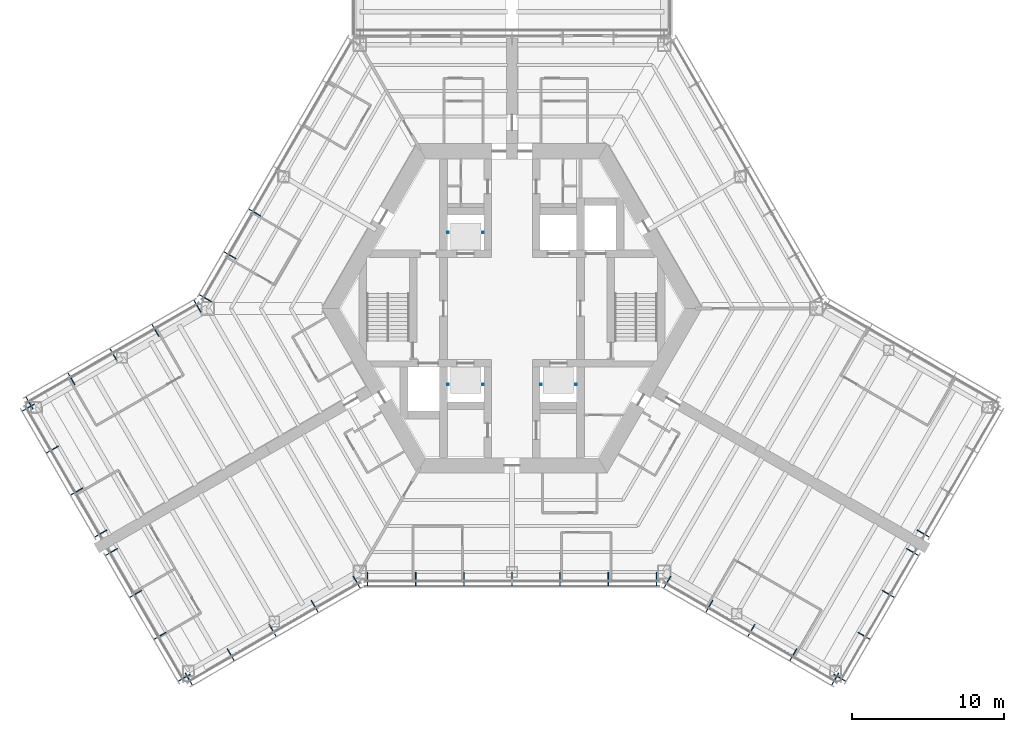
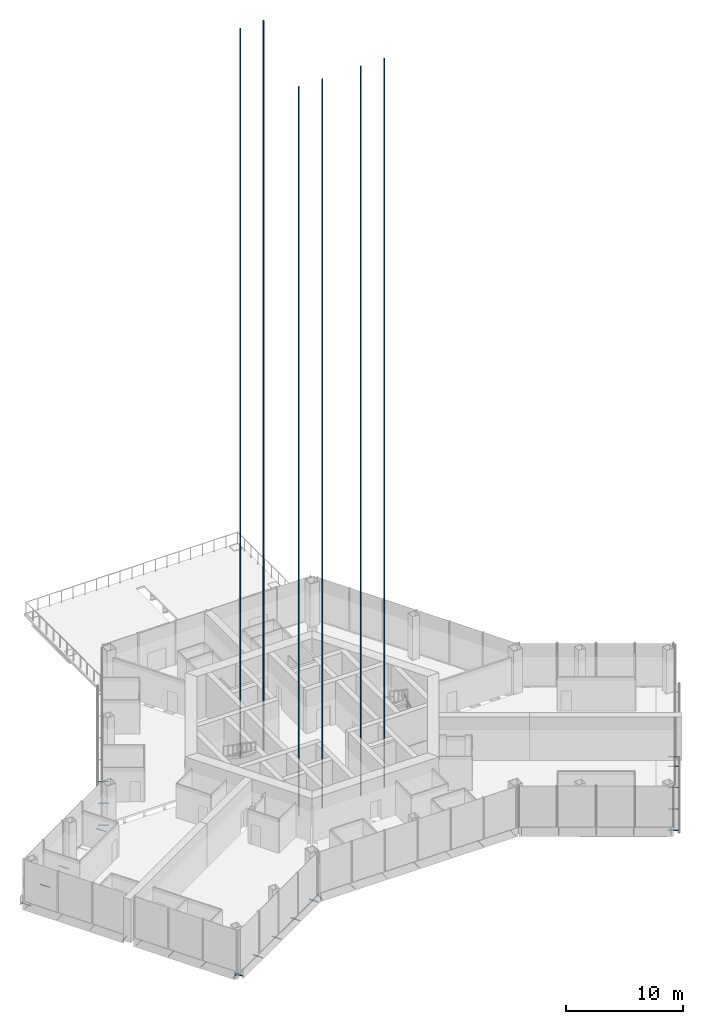
# One storey, part 14 of 18: 41 discrete accessories.
"""IFC4 building model written with IfcOpenShell, lengths in metres."""

from ifc_helpers import new_model, si_unit, direction, frame, origin, origin_2d, place, context, subcontext, project, spatial, rectangle, hollow_circle, extrude, material, material_profile, profile_set, type_object, element, save


model = new_model("IFC4")

# Units and contexts
model_context = context("Model", 3, precision=1e-05, world=origin(), true_north=direction((0.0, 1.0)))
body_context = subcontext(model_context, "Body", "Model", "MODEL_VIEW")
ifc_project = project(units=[si_unit("LENGTHUNIT", "METRE"), si_unit("AREAUNIT", "SQUARE_METRE"), si_unit("VOLUMEUNIT", "CUBIC_METRE"), si_unit("PLANEANGLEUNIT", "RADIAN"), si_unit("MASSUNIT", "GRAM", prefix="KILO")], contexts=[model_context])

# Site, building, storey
site_placement = place(None, origin())
site = spatial("IfcSite", under=ifc_project, at=site_placement, CompositionType="ELEMENT")
building_placement = place(site_placement, origin())
building = spatial("IfcBuilding", under=site, at=building_placement, Name="Kasaneha Research Tower", CompositionType="ELEMENT")
storey_placement = place(building_placement, frame((0.0, 0.0, 128.60009765625)))
storey = spatial("IfcBuildingStorey", under=building, at=storey_placement, Name="L32", CompositionType="ELEMENT", Elevation=128.60009765625)

# Discrete accessories
ifc_material_1 = material(Name="Steel SN400B", Category="steel")
discrete_accessory_type_1 = type_object("IfcDiscreteAccessoryType", Name="Lift guide rail 100x100", PredefinedType="USERDEFINED", material=ifc_material_1)
discrete_accessory_1_placement = place(storey_placement, frame((0.0, 0.0, -128.60009765625)))
element("IfcDiscreteAccessory", 1, at=discrete_accessory_1_placement, inside=storey, type_object=discrete_accessory_type_1, Name="Lift LM2 guide rails", ObjectType="GUIDE RAIL", PredefinedType="USERDEFINED", context=body_context, shape_type="SweptSolid", body=[
    extrude(rectangle(XDim=0.10009765625, YDim=0.10009765625, at=origin_2d()), frame((1.89990234375, -5.0, 127.050048828125)), (0.0, 0.0, 1.0), 75.89990234375),
    extrude(rectangle(XDim=0.10009765625, YDim=0.10009765625, at=origin_2d()), frame((4.199951171875, -5.0, 127.050048828125)), (0.0, 0.0, 1.0), 75.89990234375),
])
discrete_accessory_2_placement = place(storey_placement, frame((0.0, 0.0, -128.60009765625)))
element("IfcDiscreteAccessory", 2, at=discrete_accessory_2_placement, inside=storey, type_object=discrete_accessory_type_1, Name="Lift LM1 guide rails", ObjectType="GUIDE RAIL", PredefinedType="USERDEFINED", context=body_context, shape_type="SweptSolid", body=[
    extrude(rectangle(XDim=0.10009765625, YDim=0.10009765625, at=origin_2d()), frame((-4.199951171875, 5.0, 127.050048828125)), (0.0, 0.0, 1.0), 75.89990234375),
    extrude(rectangle(XDim=0.10009765625, YDim=0.10009765625, at=origin_2d()), frame((-1.89990234375, 5.0, 127.050048828125)), (0.0, 0.0, 1.0), 75.89990234375),
])
discrete_accessory_3_placement = place(storey_placement, frame((0.0, 0.0, -128.60009765625)))
element("IfcDiscreteAccessory", 3, at=discrete_accessory_3_placement, inside=storey, type_object=discrete_accessory_type_1, Name="Lift LM3 guide rails", ObjectType="GUIDE RAIL", PredefinedType="USERDEFINED", context=body_context, shape_type="SweptSolid", body=[
    extrude(rectangle(XDim=0.10009765625, YDim=0.10009765625, at=origin_2d()), frame((-4.199951171875, -5.0, 127.050048828125)), (0.0, 0.0, 1.0), 75.89990234375),
    extrude(rectangle(XDim=0.10009765625, YDim=0.10009765625, at=origin_2d()), frame((-1.89990234375, -5.0, 127.050048828125)), (0.0, 0.0, 1.0), 75.89990234375),
])
ifc_material_2 = material(Name="Steel STK400", Category="steel")
ifc_material_profile = material_profile(ifc_material_2, hollow_circle(Radius=0.0380859375, WallThickness=0.00390625, at=origin_2d()), Name="CHS-76.3x4.0")
ifc_profile_set = profile_set([ifc_material_profile], Name="Steel STK400")
discrete_accessory_type_2 = type_object("IfcDiscreteAccessoryType", Name="Screen bracket CHS-76.3x4.0", PredefinedType="BRACKET", material=ifc_profile_set)
for number, where, z_axis, x_axis, name in (
    (4, (-9.4892578125, -17.320556640625, -0.35009765625), (0.0, -1.0, 0.0), (1.0, 0.0, 0.0), "Screen bracket 1"),
    (5, (-6.326171875, -17.320556640625, -0.35009765625), (0.0, -1.0, 0.0), (1.0, 0.0, 0.0), "Screen bracket 2"),
    (6, (-3.1630859375, -17.320556640625, -0.35009765625), (0.0, -1.0, 0.0), (1.0, 0.0, 0.0), "Screen bracket 3"),
    (7, (0.0, -17.320556640625, -0.35009765625), (0.0, -1.0, 0.0), (1.0, 0.0, 0.0), "Screen bracket 4"),
    (8, (3.1630859375, -17.320556640625, -0.35009765625), (0.0, -1.0, 0.0), (1.0, 0.0, 0.0), "Screen bracket 5"),
    (9, (6.326171875, -17.320556640625, -0.35009765625), (0.0, -1.0, 0.0), (1.0, 0.0, 0.0), "Screen bracket 6"),
    (10, (9.4892578125, -17.320556640625, -0.35009765625), (0.0, -1.0, 0.0), (1.0, 0.0, 0.0), "Screen bracket 7"),
    (11, (10.4423828125, -17.575927734375, -0.35009765625), (-0.500021113727, -0.866013213425, 0.0), (0.866013213425, -0.500021113727, 0.0), "Screen bracket 1"),
):
    element("IfcDiscreteAccessory", number, at=place(storey_placement, frame(where, z_axis=z_axis, x_axis=x_axis)), inside=storey, type_object=discrete_accessory_type_2, Name=name, PredefinedType="BRACKET", context=body_context, shape_type="SweptSolid", body=[
        extrude(hollow_circle(Radius=0.0380859375, WallThickness=0.00390625, at=origin_2d()), origin(), (0.0, 0.0, 1.0), 0.919921875),
    ])
discrete_accessory_4_placement = place(storey_placement, frame((13.200439453125, -19.168212890625, -0.35009765625), z_axis=(-0.499906209203, -0.866079547155, 0.0), x_axis=(0.866079547155, -0.499906209203, 0.0)))
element("IfcDiscreteAccessory", 12, at=discrete_accessory_4_placement, inside=storey, type_object=discrete_accessory_type_2, Name="Screen bracket 2", PredefinedType="BRACKET", context=body_context, shape_type="SweptSolid", body=[
    extrude(hollow_circle(Radius=0.0380859375, WallThickness=0.00390625, at=origin_2d()), origin(), (0.0, 0.0, 1.0), 0.920166015625),
])
discrete_accessory_5_placement = place(storey_placement, frame((15.95849609375, -20.7607421875, -0.35009765625), z_axis=(-0.500021113727, -0.866013213425, 0.0), x_axis=(0.866013213425, -0.500021113727, 0.0)))
element("IfcDiscreteAccessory", 13, at=discrete_accessory_5_placement, inside=storey, type_object=discrete_accessory_type_2, Name="Screen bracket 3", PredefinedType="BRACKET", context=body_context, shape_type="SweptSolid", body=[
    extrude(hollow_circle(Radius=0.0380859375, WallThickness=0.00390625, at=origin_2d()), origin(), (0.0, 0.0, 1.0), 0.919921875),
])
discrete_accessory_6_placement = place(storey_placement, frame((18.716796875, -22.35302734375, -0.35009765625), z_axis=(-0.500105201737, -0.865964657013, 0.0), x_axis=(0.865964657013, -0.500105201737, 0.0)))
element("IfcDiscreteAccessory", 14, at=discrete_accessory_6_placement, inside=storey, type_object=discrete_accessory_type_2, Name="Screen bracket 4", PredefinedType="BRACKET", context=body_context, shape_type="SweptSolid", body=[
    extrude(hollow_circle(Radius=0.0380859375, WallThickness=0.00390625, at=origin_2d()), origin(), (0.0, 0.0, 1.0), 0.920166015625),
])
discrete_accessory_7_placement = place(storey_placement, frame((21.474853515625, -23.945556640625, -0.35009765625), z_axis=(-0.500021113727, -0.866013213425, 0.0), x_axis=(0.866013213425, -0.500021113727, 0.0)))
element("IfcDiscreteAccessory", 15, at=discrete_accessory_7_placement, inside=storey, type_object=discrete_accessory_type_2, Name="Screen bracket 5", PredefinedType="BRACKET", context=body_context, shape_type="SweptSolid", body=[
    extrude(hollow_circle(Radius=0.0380859375, WallThickness=0.00390625, at=origin_2d()), origin(), (0.0, 0.0, 1.0), 0.919921875),
])
discrete_accessory_8_placement = place(storey_placement, frame((21.13330078125, -24.037109375, -0.35009765625), z_axis=(0.866079547155, -0.499906209203, 0.0), x_axis=(0.499906209203, 0.866079547155, 0.0)))
element("IfcDiscreteAccessory", 16, at=discrete_accessory_8_placement, inside=storey, type_object=discrete_accessory_type_2, Name="Screen bracket 1", PredefinedType="BRACKET", context=body_context, shape_type="SweptSolid", body=[
    extrude(hollow_circle(Radius=0.0380859375, WallThickness=0.00390625, at=origin_2d()), origin(), (0.0, 0.0, 1.0), 0.920166015625),
])
discrete_accessory_9_placement = place(storey_placement, frame((22.72509765625, -21.2802734375, -0.35009765625), z_axis=(0.866013213425, -0.500021113727, 0.0), x_axis=(0.500021113727, 0.866013213425, 0.0)))
element("IfcDiscreteAccessory", 17, at=discrete_accessory_9_placement, inside=storey, type_object=discrete_accessory_type_2, Name="Screen bracket 2", PredefinedType="BRACKET", context=body_context, shape_type="SweptSolid", body=[
    extrude(hollow_circle(Radius=0.0380859375, WallThickness=0.00390625, at=origin_2d()), origin(), (0.0, 0.0, 1.0), 0.919921875),
])
discrete_accessory_10_placement = place(storey_placement, frame((24.316650390625, -18.5234375, -0.35009765625), z_axis=(0.866079547155, -0.499906209203, 0.0), x_axis=(0.499906209203, 0.866079547155, 0.0)))
element("IfcDiscreteAccessory", 18, at=discrete_accessory_10_placement, inside=storey, type_object=discrete_accessory_type_2, Name="Screen bracket 3", PredefinedType="BRACKET", context=body_context, shape_type="SweptSolid", body=[
    extrude(hollow_circle(Radius=0.0380859375, WallThickness=0.00390625, at=origin_2d()), origin(), (0.0, 0.0, 1.0), 0.920166015625),
])
for number, where, z_axis, x_axis, name in (
    (19, (25.908447265625, -15.766357421875, -0.35009765625), (0.865898279276, -0.500220121494, 0.0), (0.500220121494, 0.865898279276, 0.0), "Screen bracket 4"),
    (20, (26.6083984375, -14.553955078125, -0.35009765625), (0.866013213425, -0.500021113727, 0.0), (0.500021113727, 0.866013213425, 0.0), "Screen bracket 1"),
    (21, (-16.4970703125, 6.0673828125, -0.35009765625), (-0.866013213425, 0.500021113727, 0.0), (-0.500021113727, -0.866013213425, 0.0), "Screen bracket 5"),
    (22, (-18.120849609375, 3.2548828125, -0.35009765625), (-0.866013213425, 0.500021113727, 0.0), (-0.500021113727, -0.866013213425, 0.0), "Screen bracket 6"),
    (23, (-19.74462890625, 0.4423828125, -0.35009765625), (-0.866013213425, 0.500021113727, 0.0), (-0.500021113727, -0.866013213425, 0.0), "Screen bracket 7"),
    (24, (-20.4423828125, -0.25537109375, -0.35009765625), (-0.500021113727, 0.866013213425, 0.0), (-0.866013213425, -0.500021113727, 0.0), "Screen bracket 1"),
):
    element("IfcDiscreteAccessory", number, at=place(storey_placement, frame(where, z_axis=z_axis, x_axis=x_axis)), inside=storey, type_object=discrete_accessory_type_2, Name=name, PredefinedType="BRACKET", context=body_context, shape_type="SweptSolid", body=[
        extrude(hollow_circle(Radius=0.0380859375, WallThickness=0.00390625, at=origin_2d()), origin(), (0.0, 0.0, 1.0), 0.919921875),
    ])
discrete_accessory_11_placement = place(storey_placement, frame((-23.200439453125, -1.847900390625, -0.35009765625), z_axis=(-0.499906209203, 0.866079547155, 0.0), x_axis=(-0.866079547155, -0.499906209203, 0.0)))
element("IfcDiscreteAccessory", 25, at=discrete_accessory_11_placement, inside=storey, type_object=discrete_accessory_type_2, Name="Screen bracket 2", PredefinedType="BRACKET", context=body_context, shape_type="SweptSolid", body=[
    extrude(hollow_circle(Radius=0.0380859375, WallThickness=0.00390625, at=origin_2d()), origin(), (0.0, 0.0, 1.0), 0.920166015625),
])
discrete_accessory_12_placement = place(storey_placement, frame((-25.95849609375, -3.440185546875, -0.35009765625), z_axis=(-0.500220121494, 0.865898279276, 0.0), x_axis=(-0.865898279276, -0.500220121494, 0.0)))
element("IfcDiscreteAccessory", 26, at=discrete_accessory_12_placement, inside=storey, type_object=discrete_accessory_type_2, Name="Screen bracket 3", PredefinedType="BRACKET", context=body_context, shape_type="SweptSolid", body=[
    extrude(hollow_circle(Radius=0.0380859375, WallThickness=0.00390625, at=origin_2d()), origin(), (0.0, 0.0, 1.0), 0.919921875),
])
discrete_accessory_13_placement = place(storey_placement, frame((-28.716796875, -5.03271484375, -0.35009765625), z_axis=(-0.499906209203, 0.866079547155, 0.0), x_axis=(-0.866079547155, -0.499906209203, 0.0)))
element("IfcDiscreteAccessory", 27, at=discrete_accessory_13_placement, inside=storey, type_object=discrete_accessory_type_2, Name="Screen bracket 4", PredefinedType="BRACKET", context=body_context, shape_type="SweptSolid", body=[
    extrude(hollow_circle(Radius=0.0380859375, WallThickness=0.00390625, at=origin_2d()), origin(), (0.0, 0.0, 1.0), 0.920166015625),
])
discrete_accessory_14_placement = place(storey_placement, frame((-31.474853515625, -6.625, -0.35009765625), z_axis=(-0.500021113727, 0.866013213425, 0.0), x_axis=(-0.866013213425, -0.500021113727, 0.0)))
element("IfcDiscreteAccessory", 28, at=discrete_accessory_14_placement, inside=storey, type_object=discrete_accessory_type_2, Name="Screen bracket 5", PredefinedType="BRACKET", context=body_context, shape_type="SweptSolid", body=[
    extrude(hollow_circle(Radius=0.0380859375, WallThickness=0.00390625, at=origin_2d()), origin(), (0.0, 0.0, 1.0), 0.919921875),
])
discrete_accessory_15_placement = place(storey_placement, frame((-31.38330078125, -6.283447265625, -0.35009765625), z_axis=(-0.866079547155, -0.499906209203, 0.0), x_axis=(0.499906209203, -0.866079547155, 0.0)))
element("IfcDiscreteAccessory", 29, at=discrete_accessory_15_placement, inside=storey, type_object=discrete_accessory_type_2, Name="Screen bracket 1", PredefinedType="BRACKET", context=body_context, shape_type="SweptSolid", body=[
    extrude(hollow_circle(Radius=0.0380859375, WallThickness=0.00390625, at=origin_2d()), origin(), (0.0, 0.0, 1.0), 0.920166015625),
])
discrete_accessory_16_placement = place(storey_placement, frame((-29.791748046875, -9.040283203125, -0.35009765625), z_axis=(-0.866013213425, -0.500021113727, 0.0), x_axis=(0.500021113727, -0.866013213425, 0.0)))
element("IfcDiscreteAccessory", 30, at=discrete_accessory_16_placement, inside=storey, type_object=discrete_accessory_type_2, Name="Screen bracket 2", PredefinedType="BRACKET", context=body_context, shape_type="SweptSolid", body=[
    extrude(hollow_circle(Radius=0.0380859375, WallThickness=0.00390625, at=origin_2d()), origin(), (0.0, 0.0, 1.0), 0.919921875),
])
discrete_accessory_17_placement = place(storey_placement, frame((-28.199951171875, -11.797119140625, -0.35009765625), z_axis=(-0.866079547155, -0.499906209203, 0.0), x_axis=(0.499906209203, -0.866079547155, 0.0)))
element("IfcDiscreteAccessory", 31, at=discrete_accessory_17_placement, inside=storey, type_object=discrete_accessory_type_2, Name="Screen bracket 3", PredefinedType="BRACKET", context=body_context, shape_type="SweptSolid", body=[
    extrude(hollow_circle(Radius=0.0380859375, WallThickness=0.00390625, at=origin_2d()), origin(), (0.0, 0.0, 1.0), 0.920166015625),
])
for number, where, z_axis, x_axis, name in (
    (32, (-26.6083984375, -14.553955078125, -0.35009765625), (-0.866013213425, -0.500021113727, 0.0), (0.500021113727, -0.866013213425, 0.0), "Screen bracket 4"),
    (33, (-25.908447265625, -15.766357421875, -0.35009765625), (-0.865898279276, -0.500220121494, 0.0), (0.500220121494, -0.865898279276, 0.0), "Screen bracket 1"),
):
    element("IfcDiscreteAccessory", number, at=place(storey_placement, frame(where, z_axis=z_axis, x_axis=x_axis)), inside=storey, type_object=discrete_accessory_type_2, Name=name, PredefinedType="BRACKET", context=body_context, shape_type="SweptSolid", body=[
        extrude(hollow_circle(Radius=0.0380859375, WallThickness=0.00390625, at=origin_2d()), origin(), (0.0, 0.0, 1.0), 0.919921875),
    ])
discrete_accessory_18_placement = place(storey_placement, frame((-24.316650390625, -18.5234375, -0.35009765625), z_axis=(-0.866079547155, -0.499906209203, 0.0), x_axis=(0.499906209203, -0.866079547155, 0.0)))
element("IfcDiscreteAccessory", 34, at=discrete_accessory_18_placement, inside=storey, type_object=discrete_accessory_type_2, Name="Screen bracket 2", PredefinedType="BRACKET", context=body_context, shape_type="SweptSolid", body=[
    extrude(hollow_circle(Radius=0.0380859375, WallThickness=0.00390625, at=origin_2d()), origin(), (0.0, 0.0, 1.0), 0.920166015625),
])
discrete_accessory_19_placement = place(storey_placement, frame((-22.72509765625, -21.2802734375, -0.35009765625), z_axis=(-0.866013213425, -0.500021113727, 0.0), x_axis=(0.500021113727, -0.866013213425, 0.0)))
element("IfcDiscreteAccessory", 35, at=discrete_accessory_19_placement, inside=storey, type_object=discrete_accessory_type_2, Name="Screen bracket 3", PredefinedType="BRACKET", context=body_context, shape_type="SweptSolid", body=[
    extrude(hollow_circle(Radius=0.0380859375, WallThickness=0.00390625, at=origin_2d()), origin(), (0.0, 0.0, 1.0), 0.919921875),
])
discrete_accessory_20_placement = place(storey_placement, frame((-21.13330078125, -24.037109375, -0.35009765625), z_axis=(-0.866079547155, -0.499906209203, 0.0), x_axis=(0.499906209203, -0.866079547155, 0.0)))
element("IfcDiscreteAccessory", 36, at=discrete_accessory_20_placement, inside=storey, type_object=discrete_accessory_type_2, Name="Screen bracket 4", PredefinedType="BRACKET", context=body_context, shape_type="SweptSolid", body=[
    extrude(hollow_circle(Radius=0.0380859375, WallThickness=0.00390625, at=origin_2d()), origin(), (0.0, 0.0, 1.0), 0.920166015625),
])
discrete_accessory_21_placement = place(storey_placement, frame((-21.474853515625, -23.945556640625, -0.35009765625), z_axis=(0.500021113727, -0.866013213425, 0.0), x_axis=(0.866013213425, 0.500021113727, 0.0)))
element("IfcDiscreteAccessory", 37, at=discrete_accessory_21_placement, inside=storey, type_object=discrete_accessory_type_2, Name="Screen bracket 1", PredefinedType="BRACKET", context=body_context, shape_type="SweptSolid", body=[
    extrude(hollow_circle(Radius=0.0380859375, WallThickness=0.00390625, at=origin_2d()), origin(), (0.0, 0.0, 1.0), 0.919921875),
])
discrete_accessory_22_placement = place(storey_placement, frame((-18.716796875, -22.35302734375, -0.35009765625), z_axis=(0.500105201737, -0.865964657013, 0.0), x_axis=(0.865964657013, 0.500105201737, 0.0)))
element("IfcDiscreteAccessory", 38, at=discrete_accessory_22_placement, inside=storey, type_object=discrete_accessory_type_2, Name="Screen bracket 2", PredefinedType="BRACKET", context=body_context, shape_type="SweptSolid", body=[
    extrude(hollow_circle(Radius=0.0380859375, WallThickness=0.00390625, at=origin_2d()), origin(), (0.0, 0.0, 1.0), 0.920166015625),
])
discrete_accessory_23_placement = place(storey_placement, frame((-15.95849609375, -20.7607421875, -0.35009765625), z_axis=(0.500021113727, -0.866013213425, 0.0), x_axis=(0.866013213425, 0.500021113727, 0.0)))
element("IfcDiscreteAccessory", 39, at=discrete_accessory_23_placement, inside=storey, type_object=discrete_accessory_type_2, Name="Screen bracket 3", PredefinedType="BRACKET", context=body_context, shape_type="SweptSolid", body=[
    extrude(hollow_circle(Radius=0.0380859375, WallThickness=0.00390625, at=origin_2d()), origin(), (0.0, 0.0, 1.0), 0.919921875),
])
discrete_accessory_24_placement = place(storey_placement, frame((-13.200439453125, -19.168212890625, -0.35009765625), z_axis=(0.499906209203, -0.866079547155, 0.0), x_axis=(0.866079547155, 0.499906209203, 0.0)))
element("IfcDiscreteAccessory", 40, at=discrete_accessory_24_placement, inside=storey, type_object=discrete_accessory_type_2, Name="Screen bracket 4", PredefinedType="BRACKET", context=body_context, shape_type="SweptSolid", body=[
    extrude(hollow_circle(Radius=0.0380859375, WallThickness=0.00390625, at=origin_2d()), origin(), (0.0, 0.0, 1.0), 0.920166015625),
])
discrete_accessory_25_placement = place(storey_placement, frame((-10.4423828125, -17.575927734375, -0.35009765625), z_axis=(0.500021113727, -0.866013213425, 0.0), x_axis=(0.866013213425, 0.500021113727, 0.0)))
element("IfcDiscreteAccessory", 41, at=discrete_accessory_25_placement, inside=storey, type_object=discrete_accessory_type_2, Name="Screen bracket 5", PredefinedType="BRACKET", context=body_context, shape_type="SweptSolid", body=[
    extrude(hollow_circle(Radius=0.0380859375, WallThickness=0.00390625, at=origin_2d()), origin(), (0.0, 0.0, 1.0), 0.919921875),
])

save(model, "model.ifc")
